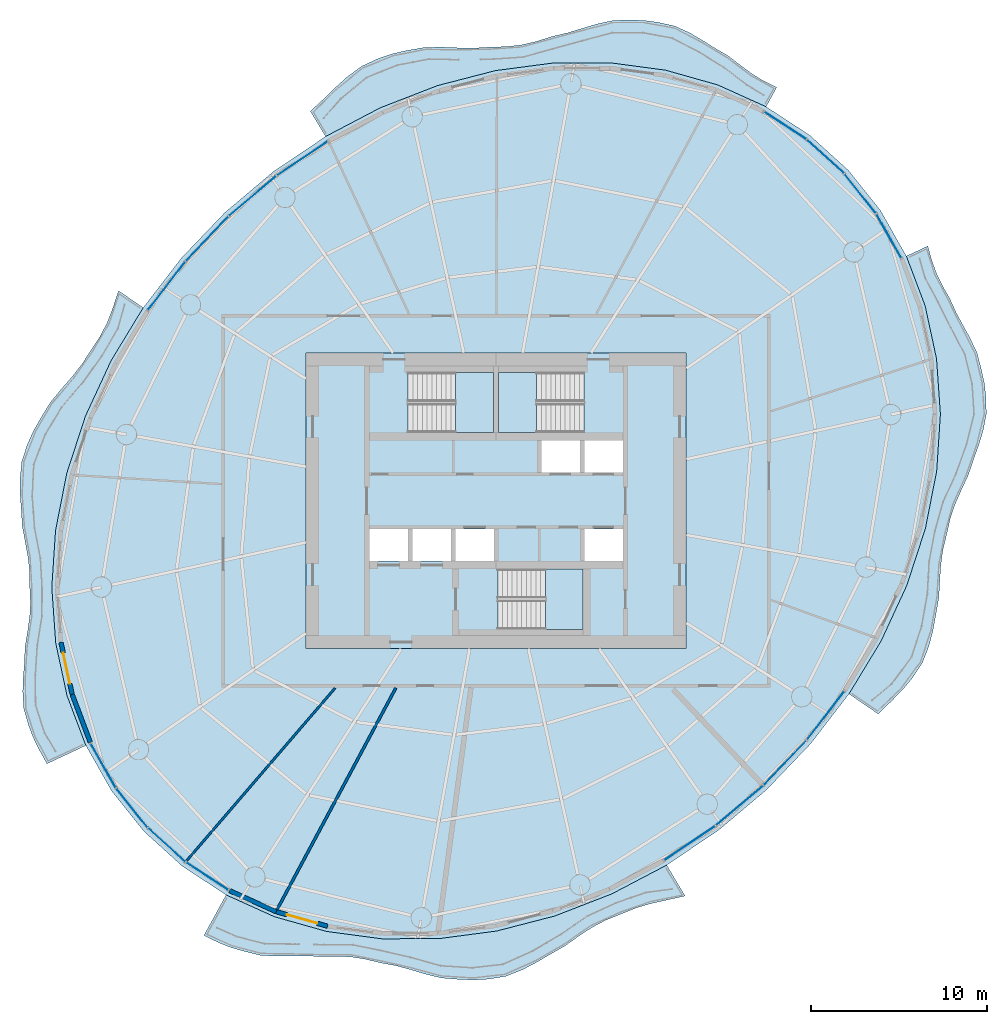
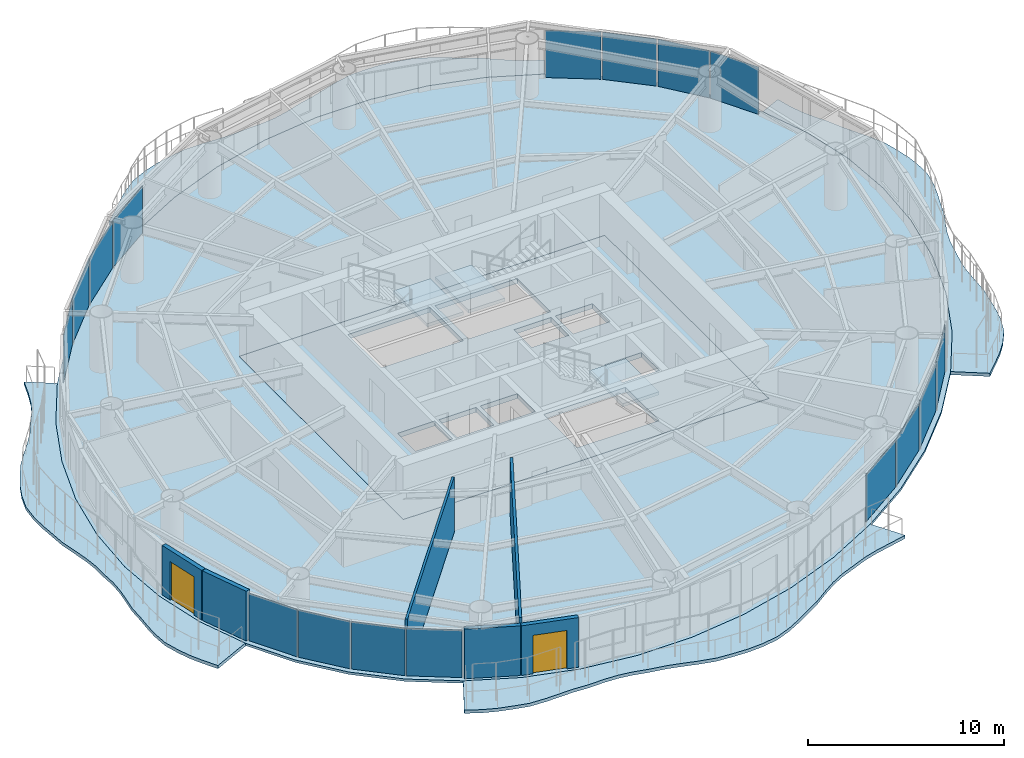
# One storey, part 7 of 14: 16 plates, 9 slabs, 6 walls, 2 doors, 2 openings, 19 elements without a shape of their own.
"""IFC4 building model written with IfcOpenShell, lengths in metres."""

from ifc_helpers import new_model, si_unit, direction, frame, frame_2d, origin, origin_2d, place, context, subcontext, project, spatial, polyline, rectangle, outline, extrude, material, layer, layer_set, type_object, element, fill, aggregate, save


model = new_model("IFC4")

# Units and contexts
model_context = context("Model", 3, precision=1e-05, world=origin(), true_north=direction((0.0, 1.0)))
body_context = subcontext(model_context, "Body", "Model", "MODEL_VIEW")
ifc_project = project(units=[si_unit("LENGTHUNIT", "METRE"), si_unit("AREAUNIT", "SQUARE_METRE"), si_unit("VOLUMEUNIT", "CUBIC_METRE"), si_unit("PLANEANGLEUNIT", "RADIAN"), si_unit("MASSUNIT", "GRAM", prefix="KILO")], contexts=[model_context])

# Site, building, storey
site_placement = place(None, origin())
site = spatial("IfcSite", under=ifc_project, at=site_placement, CompositionType="ELEMENT")
building_placement = place(site_placement, origin())
building = spatial("IfcBuilding", under=site, at=building_placement, Name="Vermilion Reach Broadcast Tower", CompositionType="ELEMENT")
storey_placement = place(building_placement, frame((0.0, 0.0, 206.5)))
storey = spatial("IfcBuildingStorey", under=building, at=storey_placement, Name="L50", CompositionType="ELEMENT", Elevation=206.5)

# Slabs
ifc_material_1 = material(Name="Concrete C40/50", Category="concrete")
ifc_layer_1 = layer(ifc_material_1, 0.199951171875)
ifc_layer_set_1 = layer_set([ifc_layer_1], Name="Balcony slab 200")
slab_type_1 = type_object("IfcSlabType", Name="Balcony slab 200", PredefinedType="FLOOR", material=ifc_layer_set_1)
placement_1 = place(storey_placement, frame((0.0, 0.0, -0.199951171875)))
element("IfcSlab", 1, at=placement_1, inside=storey, type_object=slab_type_1, Name="Balcony slab L50 group 1", PredefinedType="FLOOR", context=body_context, shape_type="SweptSolid", body=[
    extrude(outline(polyline([(9.338134765625, 22.38720703125), (6.59033203125, 23.627685546875), (3.627197265625, 24.464111328125), (0.499267578125, 24.881591796875), (-2.73974609375, 24.87353515625), (-6.03466796875, 24.43994140625), (-9.328857421875, 23.588134765625), (-12.566162109375, 22.332763671875), (-15.691162109375, 20.6953125), (-16.5498046875, 22.135498046875), (-15.80859375, 22.819580078125), (-15.149658203125, 23.46240234375), (-14.473876953125, 24.0732421875), (-13.63671875, 24.689697265625), (-12.714599609375, 25.1162109375), (-11.892822265625, 25.397705078125), (-11.036865234375, 25.591552734375), (-10.029052734375, 25.7626953125), (-9.0146484375, 25.770751953125), (-8.12646484375, 25.734130859375), (-7.244384765625, 25.72021484375), (-6.295166015625, 25.78125), (-5.376220703125, 25.8037109375), (-4.55126953125, 25.903564453125), (-3.73828125, 26.0927734375), (-2.83984375, 26.373046875), (-1.934326171875, 26.588623046875), (-1.125, 26.833251953125), (-0.31591796875, 27.0771484375), (0.656494140625, 27.290771484375), (1.6201171875, 27.31494140625), (2.41259765625, 27.289794921875), (3.194580078125, 27.184326171875), (4.146240234375, 26.974609375), (5.022216796875, 26.572998046875), (5.708740234375, 26.17138671875), (6.38720703125, 25.7421875), (7.190673828125, 25.274169921875), (7.911865234375, 24.72314453125), (8.5322265625, 24.265380859375), (9.177490234375, 23.863525390625), (9.94091796875, 23.487060546875), (9.338134765625, 22.38720703125)])), origin(), (0.0, 0.0, 1.0), 0.199951171875),
])
element("IfcSlab", 2, at=placement_1, inside=storey, type_object=slab_type_1, Name="Balcony slab L50 group 2", PredefinedType="FLOOR", context=body_context, shape_type="SweptSolid", body=[
    extrude(outline(polyline([(-26.0458984375, 10.971435546875), (-27.87646484375, 7.95556640625), (-29.33251953125, 4.803466796875), (-30.3896484375, 1.569091796875), (-31.029296875, -1.69189453125), (-31.24072265625, -4.924072265625), (-31.020263671875, -8.072021484375), (-30.37158203125, -11.081787109375), (-29.30615234375, -13.902099609375), (-31.516357421875, -14.938720703125), (-31.97802734375, -14.10595703125), (-32.310546875, -13.42578125), (-32.57373046875, -12.7197265625), (-32.83544921875, -11.808349609375), (-32.894775390625, -10.838134765625), (-32.86279296875, -10.0439453125), (-32.802001953125, -9.243408203125), (-32.76318359375, -8.319580078125), (-32.612060546875, -7.392822265625), (-32.5, -6.593994140625), (-32.45556640625, -5.800048828125), (-32.49609375, -4.927001953125), (-32.501708984375, -4.0302734375), (-32.591064453125, -3.212890625), (-32.74072265625, -2.3916015625), (-32.91796875, -1.446044921875), (-32.980712890625, -0.462646484375), (-33.041259765625, 0.39599609375), (-33.04736328125, 1.243896484375), (-32.946533203125, 2.235107421875), (-32.633544921875, 3.197509765625), (-32.281494140625, 3.977294921875), (-31.852294921875, 4.73193359375), (-31.329345703125, 5.587890625), (-30.674560546875, 6.379638671875), (-30.081298828125, 7.061767578125), (-29.529541015625, 7.76318359375), (-29.015625, 8.56201171875), (-28.488037109375, 9.358642578125), (-28.0859375, 10.146240234375), (-27.762939453125, 10.98193359375), (-27.451171875, 11.93359375), (-26.0458984375, 10.971435546875)])), origin(), (0.0, 0.0, 1.0), 0.199951171875),
])
element("IfcSlab", 3, at=placement_1, inside=storey, type_object=slab_type_1, Name="Balcony slab L50 group 3", PredefinedType="FLOOR", context=body_context, shape_type="SweptSolid", body=[
    extrude(outline(polyline([(-21.338134765625, -22.38720703125), (-18.59033203125, -23.627685546875), (-15.627197265625, -24.464111328125), (-12.499267578125, -24.881591796875), (-9.26025390625, -24.87353515625), (-5.96533203125, -24.43994140625), (-2.671142578125, -23.588134765625), (0.566162109375, -22.332763671875), (3.691162109375, -20.6953125), (4.736572265625, -22.448974609375), (3.732177734375, -22.673583984375), (2.839111328125, -22.86962890625), (1.974365234375, -23.119873046875), (1.087646484375, -23.480712890625), (0.215087890625, -23.827880859375), (-0.556396484375, -24.23974609375), (-1.298095703125, -24.727783203125), (-2.1181640625, -25.3056640625), (-2.97900390625, -25.795166015625), (-3.74169921875, -26.24365234375), (-4.516357421875, -26.6455078125), (-5.46484375, -27.015380859375), (-6.443359375, -27.17431640625), (-7.275146484375, -27.222412109375), (-8.11767578125, -27.188232421875), (-9.11083984375, -27.109375), (-10.06494140625, -26.872802734375), (-10.87548828125, -26.63037109375), (-11.685791015625, -26.412109375), (-12.58837890625, -26.245849609375), (-13.44921875, -26.03515625), (-14.229248046875, -25.916015625), (-15.02001953125, -25.8779296875), (-15.923828125, -25.89892578125), (-16.8173828125, -25.846923828125), (-17.619384765625, -25.85498046875), (-18.423583984375, -25.87060546875), (-19.39013671875, -25.821533203125), (-20.305419921875, -25.5947265625), (-21.0380859375, -25.3857421875), (-21.741455078125, -25.112548828125), (-22.598876953125, -24.6875), (-21.338134765625, -22.38720703125)])), origin(), (0.0, 0.0, 1.0), 0.199951171875),
])
element("IfcSlab", 4, at=placement_1, inside=storey, type_object=slab_type_1, Name="Balcony slab L50 group 4", PredefinedType="FLOOR", context=body_context, shape_type="SweptSolid", body=[
    extrude(outline(polyline([(14.0458984375, -10.971435546875), (15.87646484375, -7.95556640625), (17.33251953125, -4.803466796875), (18.3896484375, -1.569091796875), (19.029296875, 1.69189453125), (19.24072265625, 4.924072265625), (19.020263671875, 8.072021484375), (18.37158203125, 11.081787109375), (17.30615234375, 13.902099609375), (18.5283203125, 14.475341796875), (18.7548828125, 13.643798828125), (19.013671875, 12.935791015625), (19.341796875, 12.254150390625), (19.771484375, 11.49462890625), (20.14306640625, 10.67626953125), (20.525146484375, 9.97119140625), (20.91552734375, 9.267822265625), (21.323974609375, 8.399169921875), (21.56884765625, 7.459716796875), (21.73779296875, 6.6806640625), (21.828857421875, 5.896240234375), (21.8505859375, 4.93017578125), (21.65966796875, 3.954345703125), (21.415283203125, 3.158935546875), (21.129638671875, 2.3662109375), (20.82373046875, 1.458251953125), (20.412353515625, 0.573974609375), (20.0712890625, -0.205810546875), (19.802001953125, -0.99951171875), (19.60400390625, -1.885498046875), (19.382080078125, -2.788330078125), (19.26513671875, -3.645263671875), (19.20947265625, -4.52197265625), (19.151123046875, -5.517822265625), (18.97412109375, -6.51806640625), (18.8115234375, -7.399169921875), (18.587158203125, -8.251708984375), (18.218505859375, -9.2021484375), (17.65185546875, -10.06494140625), (17.080078125, -10.749755859375), (16.4423828125, -11.394287109375), (15.707275390625, -12.109130859375), (14.0458984375, -10.971435546875)])), origin(), (0.0, 0.0, 1.0), 0.199951171875),
])
ifc_material_2 = material(Name="Concrete C40", Category="concrete")
ifc_layer_2 = layer(ifc_material_2, 0.300048828125)
ifc_layer_set_2 = layer_set([ifc_layer_2], Name="Core floor slab 300 mm Concrete C40")
slab_type_2 = type_object("IfcSlabType", Name="Core floor slab 300 mm Concrete C40", PredefinedType="FLOOR", material=ifc_layer_set_2)
slab_5_placement = place(storey_placement, frame((0.0, 0.0, -0.300048828125)))
element("IfcSlab", 5, at=slab_5_placement, inside=storey, type_object=slab_type_2, Name="L50 core floor", PredefinedType="FLOOR", context=body_context, shape_type="SweptSolid", body=[
    extrude(outline(polyline([(-16.800048828125, -8.39990234375), (4.800048828125, -8.39990234375), (4.800048828125, 8.39990234375), (-16.800048828125, 8.39990234375), (-16.800048828125, -8.39990234375)]), holes=[polyline([(-3.433349609375, 1.60009765625), (-1.24169921875, 1.60009765625), (-1.24169921875, 3.429931640625), (-3.433349609375, 3.429931640625), (-3.433349609375, 1.60009765625)]), polyline([(-0.99169921875, 1.60009765625), (1.199951171875, 1.60009765625), (1.199951171875, 3.429931640625), (-0.99169921875, 3.429931640625), (-0.99169921875, 1.60009765625)]), polyline([(-13.199951171875, -3.429931640625), (-11.00830078125, -3.429931640625), (-11.00830078125, -1.60009765625), (-13.199951171875, -1.60009765625), (-13.199951171875, -3.429931640625)]), polyline([(-10.75830078125, -3.429931640625), (-8.566650390625, -3.429931640625), (-8.566650390625, -1.60009765625), (-10.75830078125, -1.60009765625), (-10.75830078125, -3.429931640625)]), polyline([(-8.316650390625, -3.429931640625), (-6.125, -3.429931640625), (-6.125, -1.60009765625), (-8.316650390625, -1.60009765625), (-8.316650390625, -3.429931640625)]), polyline([(-0.99169921875, -3.429931640625), (1.199951171875, -3.429931640625), (1.199951171875, -1.60009765625), (-0.99169921875, -1.60009765625), (-0.99169921875, -3.429931640625)]), polyline([(-10.999267578125, 3.8798828125), (-6.14990234375, 3.8798828125), (-6.14990234375, 7.300048828125), (-10.999267578125, 7.300048828125), (-10.999267578125, 3.8798828125)]), polyline([(-1.000732421875, 7.300048828125), (-5.85009765625, 7.300048828125), (-5.85009765625, 3.8798828125), (-1.000732421875, 3.8798828125), (-1.000732421875, 7.300048828125)]), polyline([(-5.8994140625, -7.300048828125), (-1.050048828125, -7.300048828125), (-1.050048828125, -3.8798828125), (-5.8994140625, -3.8798828125), (-5.8994140625, -7.300048828125)])]), origin(), (0.0, 0.0, 1.0), 0.300048828125),
])

# Stair, slab
ifc_material_3 = material(Name="Concrete C40", Category="concrete")
stair_type = type_object("IfcStairType", Name="Exit stair RC 22 risers 164 mm", PredefinedType="HALF_TURN_STAIR", material=ifc_material_3)
placement_2 = place(storey_placement, origin())
stair_1 = element("IfcStair", 6, at=placement_2, inside=storey, type_object=stair_type, Name="L50 Exit stair ST1", PredefinedType="HALF_TURN_STAIR")
ifc_material_4 = material(Name="Concrete C40", Category="concrete")
ifc_layer_3 = layer(ifc_material_4, 0.199951171875)
ifc_layer_set_3 = layer_set([ifc_layer_3], Name="Exit stair landing Concrete C40")
slab_type_3 = type_object("IfcSlabType", Name="Exit stair landing Concrete C40", PredefinedType="LANDING", material=ifc_layer_set_3)
placement_3 = place(storey_placement, frame((0.0, 0.0, 1.60009765625)))
slab_6 = element("IfcSlab", 7, at=placement_3, type_object=slab_type_3, Name="ST1 landing 1", PredefinedType="LANDING", context=body_context, shape_type="SweptSolid", body=[
    extrude(outline(polyline([(-8.300048828125, 3.8798828125), (-6.14990234375, 3.8798828125), (-6.14990234375, 7.300048828125), (-8.300048828125, 7.300048828125), (-8.300048828125, 3.8798828125)])), origin(), (0.0, 0.0, 1.0), 0.199951171875),
])
aggregate(stair_1, [slab_6])

stair_2 = element("IfcStair", 8, at=placement_2, inside=storey, type_object=stair_type, Name="L50 Exit stair ST2", PredefinedType="HALF_TURN_STAIR")
slab_7 = element("IfcSlab", 9, at=placement_3, type_object=slab_type_3, Name="ST2 landing 1", PredefinedType="LANDING", context=body_context, shape_type="SweptSolid", body=[
    extrude(outline(polyline([(-3.699951171875, 7.300048828125), (-5.85009765625, 7.300048828125), (-5.85009765625, 3.8798828125), (-3.699951171875, 3.8798828125), (-3.699951171875, 7.300048828125)])), origin(), (0.0, 0.0, 1.0), 0.199951171875),
])
aggregate(stair_2, [slab_7])

stair_3 = element("IfcStair", 10, at=placement_2, inside=storey, type_object=stair_type, Name="L50 Exit stair ST3", PredefinedType="HALF_TURN_STAIR")
slab_8 = element("IfcSlab", 11, at=placement_3, type_object=slab_type_3, Name="ST3 landing 1", PredefinedType="LANDING", context=body_context, shape_type="SweptSolid", body=[
    extrude(outline(polyline([(-3.199951171875, -7.300048828125), (-1.050048828125, -7.300048828125), (-1.050048828125, -3.8798828125), (-3.199951171875, -3.8798828125), (-3.199951171875, -7.300048828125)])), origin(), (0.0, 0.0, 1.0), 0.199951171875),
])
aggregate(stair_3, [slab_8])

# Slab
ifc_material_5 = material(Name="Concrete C40", Category="concrete")
ifc_layer_4 = layer(ifc_material_5, 0.14990234375)
ifc_layer_set_4 = layer_set([ifc_layer_4], Name="Floor slab Concrete C40 composite 150")
slab_type_4 = type_object("IfcSlabType", Name="Floor slab Concrete C40 composite 150", PredefinedType="FLOOR", material=ifc_layer_set_4)
slab_9_placement = place(storey_placement, frame((0.0, 0.0, -0.14990234375)))
element("IfcSlab", 12, at=slab_9_placement, inside=storey, type_object=slab_type_4, Name="Floor slab L50", PredefinedType="FLOOR", context=body_context, shape_type="SweptSolid", body=[
    extrude(outline(polyline([(14.003662109375, 18.78466796875), (11.823486328125, 20.763671875), (9.338134765625, 22.38720703125), (6.59033203125, 23.627685546875), (3.627197265625, 24.464111328125), (0.499267578125, 24.881591796875), (-2.73974609375, 24.87353515625), (-6.03466796875, 24.43994140625), (-9.328857421875, 23.588134765625), (-12.566162109375, 22.332763671875), (-15.691162109375, 20.6953125), (-18.650390625, 18.70361328125), (-21.39306640625, 16.391845703125), (-23.872314453125, 13.7998046875), (-26.0458984375, 10.971435546875), (-27.87646484375, 7.95556640625), (-29.33251953125, 4.803466796875), (-30.3896484375, 1.569091796875), (-31.029296875, -1.69189453125), (-31.24072265625, -4.924072265625), (-31.020263671875, -8.072021484375), (-30.37158203125, -11.081787109375), (-29.30615234375, -13.902099609375), (-27.841796875, -16.484375), (-26.003662109375, -18.78466796875), (-23.823486328125, -20.763671875), (-21.338134765625, -22.38720703125), (-18.59033203125, -23.627685546875), (-15.627197265625, -24.464111328125), (-12.499267578125, -24.881591796875), (-9.26025390625, -24.87353515625), (-5.96533203125, -24.43994140625), (-2.671142578125, -23.588134765625), (0.566162109375, -22.332763671875), (3.691162109375, -20.6953125), (6.650390625, -18.70361328125), (9.39306640625, -16.391845703125), (11.872314453125, -13.7998046875), (14.0458984375, -10.971435546875), (15.87646484375, -7.95556640625), (17.33251953125, -4.803466796875), (18.3896484375, -1.569091796875), (19.029296875, 1.69189453125), (19.24072265625, 4.924072265625), (19.020263671875, 8.072021484375), (18.37158203125, 11.081787109375), (17.30615234375, 13.902099609375), (15.841796875, 16.484375), (14.003662109375, 18.78466796875)]), holes=[polyline([(-16.800048828125, -8.39990234375), (4.800048828125, -8.39990234375), (4.800048828125, 8.39990234375), (-16.800048828125, 8.39990234375), (-16.800048828125, -8.39990234375)])]), origin(), (0.0, 0.0, 1.0), 0.14990234375),
])

# Curtain wall, plate
ifc_material_6 = material(Name="Low-e laminated clear glass in aluminium frame", Category="aluminium")
curtain_wall_type = type_object("IfcCurtainWallType", Name="Slot curtain wall", PredefinedType="NOTDEFINED", material=ifc_material_6)
curtain_wall_1 = element("IfcCurtainWall", 13, at=placement_2, inside=storey, type_object=curtain_wall_type, Name="Slot curtain wall L50 46", PredefinedType="NOTDEFINED")
ifc_material_7 = material(Name="Low-e laminated clear glass", Category="glass")
ifc_layer_5 = layer(ifc_material_7, 0.028076171875)
ifc_layer_set_5 = layer_set([ifc_layer_5], Name="Slot glass panel")
plate_type = type_object("IfcPlateType", Name="Slot glass panel", PredefinedType="CURTAIN_PANEL", material=ifc_layer_set_5)
plate_1_placement = place(storey_placement, frame((16.313720703125, 15.045654296875, 0.0), z_axis=(0.0, 0.0, 1.0), x_axis=(-0.493265938495, 0.869878562743, 0.0)))
plate_1 = element("IfcPlate", 14, at=plate_1_placement, type_object=plate_type, Name="Slot glass panel L50 46", PredefinedType="CURTAIN_PANEL", context=body_context, shape_type="SweptSolid", body=[
    extrude(rectangle(XDim=2.841552734375, YDim=0.028076171875, at=origin_2d()), origin(), (0.0, 0.0, 1.0), 2.949951171875),
])
aggregate(curtain_wall_1, [plate_1])

curtain_wall_2 = element("IfcCurtainWall", 15, at=placement_2, inside=storey, type_object=curtain_wall_type, Name="Slot curtain wall L50 47", PredefinedType="NOTDEFINED")
plate_2_placement = place(storey_placement, frame((14.689208984375, 17.44775390625, 0.0), z_axis=(0.0, 0.0, 1.0), x_axis=(-0.624244516151, 0.781229021514, 0.0)))
plate_2 = element("IfcPlate", 16, at=plate_2_placement, type_object=plate_type, Name="Slot glass panel L50 47", PredefinedType="CURTAIN_PANEL", context=body_context, shape_type="SweptSolid", body=[
    extrude(rectangle(XDim=2.816650390625, YDim=0.028076171875, at=origin_2d()), origin(), (0.0, 0.0, 1.0), 2.949951171875),
])
aggregate(curtain_wall_2, [plate_2])

curtain_wall_3 = element("IfcCurtainWall", 17, at=placement_2, inside=storey, type_object=curtain_wall_type, Name="Slot curtain wall L50 00", PredefinedType="NOTDEFINED")
plate_3_placement = place(storey_placement, frame((12.71240234375, 19.552734375, 0.0), z_axis=(0.0, 0.0, 1.0), x_axis=(-0.740490614702, 0.672066700215, 0.0)))
plate_3 = element("IfcPlate", 18, at=plate_3_placement, type_object=plate_type, Name="Slot glass panel L50 00", PredefinedType="CURTAIN_PANEL", context=body_context, shape_type="SweptSolid", body=[
    extrude(rectangle(XDim=2.816650390625, YDim=0.028076171875, at=origin_2d()), origin(), (0.0, 0.0, 1.0), 2.949951171875),
])
aggregate(curtain_wall_3, [plate_3])

curtain_wall_4 = element("IfcCurtainWall", 19, at=placement_2, inside=storey, type_object=curtain_wall_type, Name="Slot curtain wall L50 01", PredefinedType="NOTDEFINED")
plate_4_placement = place(storey_placement, frame((10.4169921875, 21.3251953125, 0.0), z_axis=(0.0, 0.0, 1.0), x_axis=(-0.837189851668, 0.546912380792, 0.0)))
plate_4 = element("IfcPlate", 20, at=plate_4_placement, type_object=plate_type, Name="Slot glass panel L50 01", PredefinedType="CURTAIN_PANEL", context=body_context, shape_type="SweptSolid", body=[
    extrude(rectangle(XDim=2.841552734375, YDim=0.028076171875, at=origin_2d()), origin(), (0.0, 0.0, 1.0), 2.949951171875),
])
aggregate(curtain_wall_4, [plate_4])

curtain_wall_5 = element("IfcCurtainWall", 21, at=placement_2, inside=storey, type_object=curtain_wall_type, Name="Slot curtain wall L50 10", PredefinedType="NOTDEFINED")
plate_5_placement = place(storey_placement, frame((-17.003662109375, 19.450927734375, 0.0), z_axis=(0.0, 0.0, 1.0), x_axis=(-0.829598832285, -0.558359899592, 0.0)))
plate_5 = element("IfcPlate", 22, at=plate_5_placement, type_object=plate_type, Name="Slot glass panel L50 10", PredefinedType="CURTAIN_PANEL", context=body_context, shape_type="SweptSolid", body=[
    extrude(rectangle(XDim=3.454345703125, YDim=0.028076171875, at=origin_2d()), origin(), (0.0, 0.0, 1.0), 2.949951171875),
])
aggregate(curtain_wall_5, [plate_5])

curtain_wall_6 = element("IfcCurtainWall", 23, at=placement_2, inside=storey, type_object=curtain_wall_type, Name="Slot curtain wall L50 11", PredefinedType="NOTDEFINED")
plate_6_placement = place(storey_placement, frame((-19.82861328125, 17.318603515625, 0.0), z_axis=(0.0, 0.0, 1.0), x_axis=(-0.764632586296, -0.644466452171, 0.0)))
plate_6 = element("IfcPlate", 24, at=plate_6_placement, type_object=plate_type, Name="Slot glass panel L50 11", PredefinedType="CURTAIN_PANEL", context=body_context, shape_type="SweptSolid", body=[
    extrude(rectangle(XDim=3.474609375, YDim=0.028076171875, at=origin_2d()), origin(), (0.0, 0.0, 1.0), 2.949951171875),
])
aggregate(curtain_wall_6, [plate_6])

curtain_wall_7 = element("IfcCurtainWall", 25, at=placement_2, inside=storey, type_object=curtain_wall_type, Name="Slot curtain wall L50 12", PredefinedType="NOTDEFINED")
plate_7_placement = place(storey_placement, frame((-22.416259765625, 14.888916015625, 0.0), z_axis=(0.0, 0.0, 1.0), x_axis=(-0.691206332798, -0.722657460696, 0.0)))
plate_7 = element("IfcPlate", 26, at=plate_7_placement, type_object=plate_type, Name="Slot glass panel L50 12", PredefinedType="CURTAIN_PANEL", context=body_context, shape_type="SweptSolid", body=[
    extrude(rectangle(XDim=3.474609375, YDim=0.028076171875, at=origin_2d()), origin(), (0.0, 0.0, 1.0), 2.949951171875),
])
aggregate(curtain_wall_7, [plate_7])

curtain_wall_8 = element("IfcCurtainWall", 27, at=placement_2, inside=storey, type_object=curtain_wall_type, Name="Slot curtain wall L50 13", PredefinedType="NOTDEFINED")
plate_8_placement = place(storey_placement, frame((-24.721435546875, 12.203125, 0.0), z_axis=(0.0, 0.0, 1.0), x_axis=(-0.609349143367, -0.792902025144, 0.0)))
plate_8 = element("IfcPlate", 28, at=plate_8_placement, type_object=plate_type, Name="Slot glass panel L50 13", PredefinedType="CURTAIN_PANEL", context=body_context, shape_type="SweptSolid", body=[
    extrude(rectangle(XDim=3.454345703125, YDim=0.028076171875, at=origin_2d()), origin(), (0.0, 0.0, 1.0), 2.949951171875),
])
aggregate(curtain_wall_8, [plate_8])

curtain_wall_9 = element("IfcCurtainWall", 29, at=placement_2, inside=storey, type_object=curtain_wall_type, Name="Slot curtain wall L50 22", PredefinedType="NOTDEFINED")
plate_9_placement = place(storey_placement, frame((-28.313720703125, -15.045654296875, 0.0), z_axis=(0.0, 0.0, 1.0), x_axis=(0.493265938495, -0.869878562743, 0.0)))
plate_9 = element("IfcPlate", 30, at=plate_9_placement, type_object=plate_type, Name="Slot glass panel L50 22", PredefinedType="CURTAIN_PANEL", context=body_context, shape_type="SweptSolid", body=[
    extrude(rectangle(XDim=2.841552734375, YDim=0.028076171875, at=origin_2d()), origin(), (0.0, 0.0, 1.0), 2.949951171875),
])
aggregate(curtain_wall_9, [plate_9])

curtain_wall_10 = element("IfcCurtainWall", 31, at=placement_2, inside=storey, type_object=curtain_wall_type, Name="Slot curtain wall L50 23", PredefinedType="NOTDEFINED")
plate_10_placement = place(storey_placement, frame((-26.689208984375, -17.44775390625, 0.0), z_axis=(0.0, 0.0, 1.0), x_axis=(0.624244516151, -0.781229021514, 0.0)))
plate_10 = element("IfcPlate", 32, at=plate_10_placement, type_object=plate_type, Name="Slot glass panel L50 23", PredefinedType="CURTAIN_PANEL", context=body_context, shape_type="SweptSolid", body=[
    extrude(rectangle(XDim=2.816650390625, YDim=0.028076171875, at=origin_2d()), origin(), (0.0, 0.0, 1.0), 2.949951171875),
])
aggregate(curtain_wall_10, [plate_10])

curtain_wall_11 = element("IfcCurtainWall", 33, at=placement_2, inside=storey, type_object=curtain_wall_type, Name="Slot curtain wall L50 24", PredefinedType="NOTDEFINED")
plate_11_placement = place(storey_placement, frame((-24.71240234375, -19.552734375, 0.0), z_axis=(0.0, 0.0, 1.0), x_axis=(0.740490614702, -0.672066700215, 0.0)))
plate_11 = element("IfcPlate", 34, at=plate_11_placement, type_object=plate_type, Name="Slot glass panel L50 24", PredefinedType="CURTAIN_PANEL", context=body_context, shape_type="SweptSolid", body=[
    extrude(rectangle(XDim=2.816650390625, YDim=0.028076171875, at=origin_2d()), origin(), (0.0, 0.0, 1.0), 2.949951171875),
])
aggregate(curtain_wall_11, [plate_11])

curtain_wall_12 = element("IfcCurtainWall", 35, at=placement_2, inside=storey, type_object=curtain_wall_type, Name="Slot curtain wall L50 25", PredefinedType="NOTDEFINED")
plate_12_placement = place(storey_placement, frame((-22.4169921875, -21.3251953125, 0.0), z_axis=(0.0, 0.0, 1.0), x_axis=(0.837189851668, -0.546912380792, 0.0)))
plate_12 = element("IfcPlate", 36, at=plate_12_placement, type_object=plate_type, Name="Slot glass panel L50 25", PredefinedType="CURTAIN_PANEL", context=body_context, shape_type="SweptSolid", body=[
    extrude(rectangle(XDim=2.841552734375, YDim=0.028076171875, at=origin_2d()), origin(), (0.0, 0.0, 1.0), 2.949951171875),
])
aggregate(curtain_wall_12, [plate_12])

curtain_wall_13 = element("IfcCurtainWall", 37, at=placement_2, inside=storey, type_object=curtain_wall_type, Name="Slot curtain wall L50 34", PredefinedType="NOTDEFINED")
plate_13_placement = place(storey_placement, frame((5.003662109375, -19.450927734375, 0.0), z_axis=(0.0, 0.0, 1.0), x_axis=(0.829598832285, 0.558359899592, 0.0)))
plate_13 = element("IfcPlate", 38, at=plate_13_placement, type_object=plate_type, Name="Slot glass panel L50 34", PredefinedType="CURTAIN_PANEL", context=body_context, shape_type="SweptSolid", body=[
    extrude(rectangle(XDim=3.454345703125, YDim=0.028076171875, at=origin_2d()), origin(), (0.0, 0.0, 1.0), 2.949951171875),
])
aggregate(curtain_wall_13, [plate_13])

curtain_wall_14 = element("IfcCurtainWall", 39, at=placement_2, inside=storey, type_object=curtain_wall_type, Name="Slot curtain wall L50 35", PredefinedType="NOTDEFINED")
plate_14_placement = place(storey_placement, frame((7.82861328125, -17.318603515625, 0.0), z_axis=(0.0, 0.0, 1.0), x_axis=(0.764632586296, 0.644466452171, 0.0)))
plate_14 = element("IfcPlate", 40, at=plate_14_placement, type_object=plate_type, Name="Slot glass panel L50 35", PredefinedType="CURTAIN_PANEL", context=body_context, shape_type="SweptSolid", body=[
    extrude(rectangle(XDim=3.474609375, YDim=0.028076171875, at=origin_2d()), origin(), (0.0, 0.0, 1.0), 2.949951171875),
])
aggregate(curtain_wall_14, [plate_14])

curtain_wall_15 = element("IfcCurtainWall", 41, at=placement_2, inside=storey, type_object=curtain_wall_type, Name="Slot curtain wall L50 36", PredefinedType="NOTDEFINED")
plate_15_placement = place(storey_placement, frame((10.416259765625, -14.888916015625, 0.0), z_axis=(0.0, 0.0, 1.0), x_axis=(0.691206332798, 0.722657460696, 0.0)))
plate_15 = element("IfcPlate", 42, at=plate_15_placement, type_object=plate_type, Name="Slot glass panel L50 36", PredefinedType="CURTAIN_PANEL", context=body_context, shape_type="SweptSolid", body=[
    extrude(rectangle(XDim=3.474609375, YDim=0.028076171875, at=origin_2d()), origin(), (0.0, 0.0, 1.0), 2.949951171875),
])
aggregate(curtain_wall_15, [plate_15])

curtain_wall_16 = element("IfcCurtainWall", 43, at=placement_2, inside=storey, type_object=curtain_wall_type, Name="Slot curtain wall L50 37", PredefinedType="NOTDEFINED")
plate_16_placement = place(storey_placement, frame((12.721435546875, -12.203125, 0.0), z_axis=(0.0, 0.0, 1.0), x_axis=(0.609349143367, 0.792902025144, 0.0)))
plate_16 = element("IfcPlate", 44, at=plate_16_placement, type_object=plate_type, Name="Slot glass panel L50 37", PredefinedType="CURTAIN_PANEL", context=body_context, shape_type="SweptSolid", body=[
    extrude(rectangle(XDim=3.454345703125, YDim=0.028076171875, at=origin_2d()), origin(), (0.0, 0.0, 1.0), 2.949951171875),
])
aggregate(curtain_wall_16, [plate_16])

# Walls
ifc_material_8 = material(Name="Fire-rated plasterboard on steel stud", Category="steel")
ifc_layer_6 = layer(ifc_material_8, 0.125)
ifc_layer_set_6 = layer_set([ifc_layer_6], Name="Partition 125 fire-rated stud")
wall_type_1 = type_object("IfcWallType", Name="Partition 125 fire-rated stud", PredefinedType="PARTITIONING", material=ifc_layer_set_6)
wall_1_placement = place(storey_placement, frame((-23.563720703125, -20.42724609375, 0.0), z_axis=(0.0, 0.0, 1.0), x_axis=(0.651952710233, 0.758259628109, 0.0)))
element("IfcWall", 45, at=wall_1_placement, inside=storey, type_object=wall_type_1, Name="Partition 50.05", PredefinedType="PARTITIONING", context=body_context, shape_type="SweptSolid", body=[
    extrude(rectangle(XDim=12.90673828125, YDim=0.125, at=frame_2d((6.453369140625, 0.0))), origin(), (0.0, 0.0, 1.0), 3.449951171875),
])
ifc_material_9 = material(Name="Lightweight concrete block, plastered", Category="concrete")
ifc_layer_7 = layer(ifc_material_9, 0.14990234375)
ifc_layer_set_7 = layer_set([ifc_layer_7], Name="Partition 150 lightweight block")
wall_type_2 = type_object("IfcWallType", Name="Partition 150 lightweight block", PredefinedType="PARTITIONING", material=ifc_layer_set_7)
wall_2_placement = place(storey_placement, frame((-18.445068359375, -23.228271484375, 0.0), z_axis=(0.0, 0.0, 1.0), x_axis=(0.472259350385, 0.881459645119, 0.0)))
element("IfcWall", 46, at=wall_2_placement, inside=storey, type_object=wall_type_2, Name="Partition 50.06", PredefinedType="PARTITIONING", context=body_context, shape_type="SweptSolid", body=[
    extrude(rectangle(XDim=14.286376953125, YDim=0.14990234375, at=frame_2d((7.14306640625, 0.0))), origin(), (0.0, 0.0, 1.0), 3.449951171875),
])

# Wall, opening, door
ifc_material_10 = material(Name="Terracotta rainscreen cladding", Category="masonry")
ifc_layer_8 = layer(ifc_material_10, 0.25)
ifc_layer_set_8 = layer_set([ifc_layer_8], Name="Terracotta rainscreen wall 250")
wall_type_3 = type_object("IfcWallType", Name="Terracotta rainscreen wall 250", PredefinedType="SOLIDWALL", material=ifc_layer_set_8)
wall_3_placement = place(storey_placement, frame((-30.720458984375, -8.042724609375, 0.0), z_axis=(0.0, 0.0, 1.0), x_axis=(0.210637196003, -0.977564305639, 0.0)))
wall_3 = element("IfcWall", 47, at=wall_3_placement, inside=storey, type_object=wall_type_3, Name="External wall L50 20", PredefinedType="SOLIDWALL", context=body_context, shape_type="SweptSolid", body=[
    extrude(rectangle(XDim=3.009033203125, YDim=0.25, at=frame_2d((1.50439453125, 0.0))), origin(), (0.0, 0.0, 1.0), 3.10009765625),
])
opening_1_placement = place(wall_3_placement, frame((0.60400390625, 0.0, 0.0)))
opening_1 = element("IfcOpeningElement", 48, at=opening_1_placement, cuts=wall_3, Name="Opening D70", PredefinedType="OPENING", context=body_context, shape_type="SweptSolid", body=[
    extrude(rectangle(XDim=1.800048828125, YDim=2.39990234375, at=frame_2d((0.89990234375, 1.199951171875))), frame((0.0, 0.135009765625, 0.0), z_axis=(0.0, -1.0, 0.0), x_axis=(1.0, 0.0, 0.0)), (0.0, 0.0, 1.0), 0.27001953125),
])
ifc_material_11 = material(Name="Low-e laminated clear glass in aluminium frame", Category="aluminium")
door_type = type_object("IfcDoorType", Name="Balcony sliding door 1800 x 2400", OperationType="DOUBLE_DOOR_SLIDING", PredefinedType="DOOR", material=ifc_material_11)
door_1_placement = place(opening_1_placement, origin())
door_1 = element("IfcDoor", 49, at=door_1_placement, inside=storey, type_object=door_type, Name="Balcony door L50 run 05", OperationType="DOUBLE_DOOR_SLIDING", OverallHeight=2.39990234375, OverallWidth=1.800048828125, PredefinedType="DOOR", context=body_context, shape_type="SweptSolid", body=[
    extrude(rectangle(XDim=1.800048828125, YDim=2.39990234375, at=frame_2d((0.89990234375, 1.199951171875))), frame((0.0, 0.02490234375, 0.0), z_axis=(0.0, -1.0, 0.0), x_axis=(1.0, 0.0, 0.0)), (0.0, 0.0, 1.0), 0.050048828125),
])
fill(opening_1, door_1)

# Walls
wall_4_placement = place(storey_placement, frame((-30.0791015625, -11.009765625, 0.0), z_axis=(0.0, 0.0, 1.0), x_axis=(0.353400568719, -0.935472093667, 0.0)))
element("IfcWall", 50, at=wall_4_placement, inside=storey, type_object=wall_type_3, Name="External wall L50 21", PredefinedType="SOLIDWALL", context=body_context, shape_type="SweptSolid", body=[
    extrude(rectangle(XDim=2.90087890625, YDim=0.25, at=frame_2d((1.450439453125, 0.0))), origin(), (0.0, 0.0, 1.0), 3.10009765625),
])
wall_5_placement = place(storey_placement, frame((-21.143798828125, -22.146728515625, 0.0), z_axis=(0.0, 0.0, 1.0), x_axis=(0.91141845893, -0.411480731897, 0.0)))
element("IfcWall", 51, at=wall_5_placement, inside=storey, type_object=wall_type_3, Name="External wall L50 26", PredefinedType="SOLIDWALL", context=body_context, shape_type="SweptSolid", body=[
    extrude(rectangle(XDim=2.900634765625, YDim=0.25, at=frame_2d((1.4501953125, 0.0))), origin(), (0.0, 0.0, 1.0), 3.10009765625),
])

# Wall, opening, door
wall_6_placement = place(storey_placement, frame((-18.47509765625, -23.349365234375, 0.0), z_axis=(0.0, 0.0, 1.0), x_axis=(0.962400743331, -0.271633593717, 0.0)))
wall_6 = element("IfcWall", 52, at=wall_6_placement, inside=storey, type_object=wall_type_3, Name="External wall L50 27", PredefinedType="SOLIDWALL", context=body_context, shape_type="SweptSolid", body=[
    extrude(rectangle(XDim=3.009033203125, YDim=0.25, at=frame_2d((1.50439453125, 0.0))), origin(), (0.0, 0.0, 1.0), 3.10009765625),
])
opening_2_placement = place(wall_6_placement, frame((0.60400390625, 0.0, 0.0)))
opening_2 = element("IfcOpeningElement", 53, at=opening_2_placement, cuts=wall_6, Name="Opening D70", PredefinedType="OPENING", context=body_context, shape_type="SweptSolid", body=[
    extrude(rectangle(XDim=1.800048828125, YDim=2.39990234375, at=frame_2d((0.89990234375, 1.199951171875))), frame((0.0, 0.135009765625, 0.0), z_axis=(0.0, -1.0, 0.0), x_axis=(1.0, 0.0, 0.0)), (0.0, 0.0, 1.0), 0.27001953125),
])
door_2_placement = place(opening_2_placement, origin())
door_2 = element("IfcDoor", 54, at=door_2_placement, inside=storey, type_object=door_type, Name="Balcony door L50 run 07", OperationType="DOUBLE_DOOR_SLIDING", OverallHeight=2.39990234375, OverallWidth=1.800048828125, PredefinedType="DOOR", context=body_context, shape_type="SweptSolid", body=[
    extrude(rectangle(XDim=1.800048828125, YDim=2.39990234375, at=frame_2d((0.89990234375, 1.199951171875))), frame((0.0, 0.02490234375, 0.0), z_axis=(0.0, -1.0, 0.0), x_axis=(1.0, 0.0, 0.0)), (0.0, 0.0, 1.0), 0.050048828125),
])
fill(opening_2, door_2)

save(model, "model.ifc")
